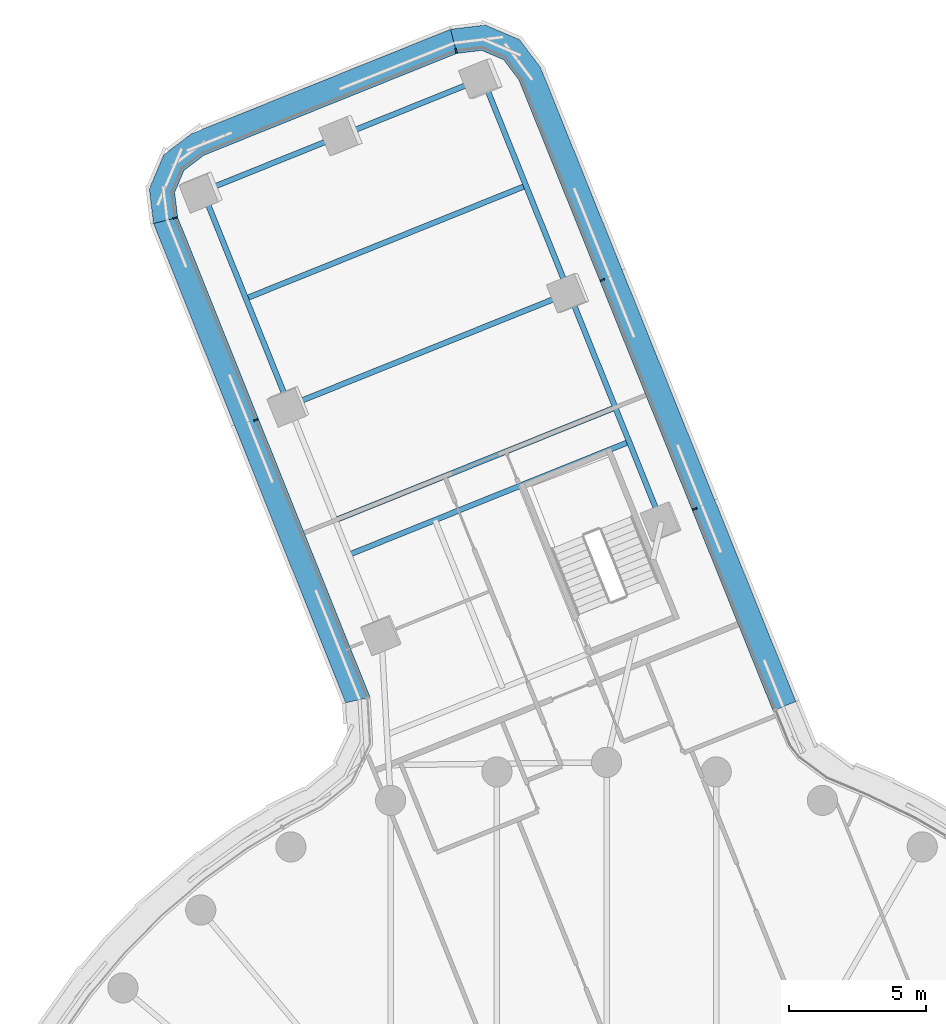
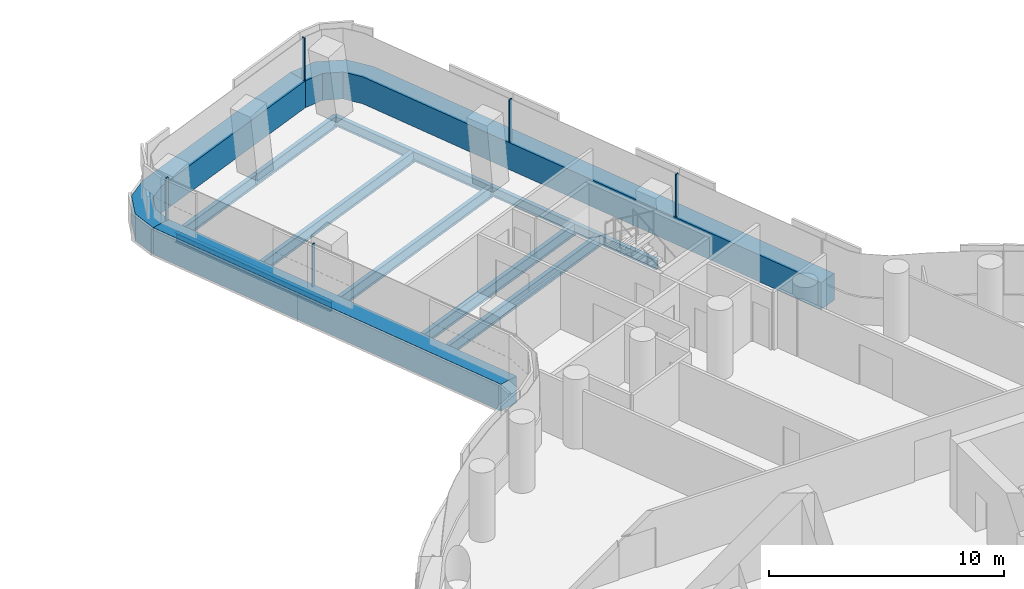
# One storey, part 15 of 32: 9 beams, 8 members, 3 elements without a shape of their own.
"""IFC4 building model written with IfcOpenShell, lengths in metres."""

import ifcopenshell
import ifcopenshell.guid

model = None  # the IFC model being written
_history = None  # IfcOwnerHistory: only IFC2X3 demands one
_inside = {}  # id of a spatial element -> (the spatial element, [elements in it])
_under = {}  # id of a project, library or spatial element -> (it, [spatial elements below it])
_declared = {}  # id of a project -> (the project, [libraries it declares])
_typed = {}  # id of a type object -> (the type object, [elements of that type])
_made_of = {}  # id of a material, layer set ... -> (it, [elements and type objects made of it])


def new_model(schema):
    """Start an empty IFC model of exactly this schema.

    Asked for "IFC4X3", IfcOpenShell would pick the latest addendum, in which some entities
    have other attributes; the version numbers below select the first issue.
    IFC2X3 requires an IfcOwnerHistory on every rooted entity: one is made here for all.
    """
    global model, _history
    if schema == "IFC4X3":
        model = ifcopenshell.file(schema_version=(4, 3, 0, 0))
    else:
        model = ifcopenshell.file(schema=schema)
    _inside.clear()
    _under.clear()
    _declared.clear()
    _typed.clear()
    _made_of.clear()
    _history = None
    if model.schema == "IFC2X3":
        org = make("IfcOrganization", Name="unknown")
        user = make(
            "IfcPersonAndOrganization",
            ThePerson=make("IfcPerson", FamilyName="unknown"),
            TheOrganization=org,
        )
        app = make(
            "IfcApplication",
            ApplicationDeveloper=org,
            Version="unknown",
            ApplicationFullName="unknown",
            ApplicationIdentifier="unknown",
        )
        _history = make(
            "IfcOwnerHistory",
            OwningUser=user,
            OwningApplication=app,
            ChangeAction="ADDED",
            CreationDate=0,
        )
    return model


def make(cls, **values):
    """One entity of the class cls with the attributes given. An attribute that is None is left unset."""
    return model.create_entity(
        cls, **{name: value for name, value in values.items() if value is not None}
    )


def rooted(cls, **values):
    """An entity with a GlobalId (a new one), such as an element, a storey or a relation."""
    return make(cls, GlobalId=ifcopenshell.guid.new(), OwnerHistory=_history, **values)


def si_unit(unit_type, name, prefix=None):
    """IfcSIUnit, for example si_unit("LENGTHUNIT", "METRE", prefix="MILLI")."""
    return make("IfcSIUnit", UnitType=unit_type, Prefix=prefix, Name=name)


def assignment(units):
    """IfcUnitAssignment: the units of a project."""
    return None if units is None else make("IfcUnitAssignment", Units=units)


def point(xyz):
    """IfcCartesianPoint."""
    return None if xyz is None else make("IfcCartesianPoint", Coordinates=xyz)


def direction(xyz):
    """IfcDirection."""
    return None if xyz is None else make("IfcDirection", DirectionRatios=xyz)


def frame(location, z_axis=None, x_axis=None):
    """IfcAxis2Placement3D, a coordinate frame: its origin and axes. An axis left out is left unset."""
    return make(
        "IfcAxis2Placement3D",
        Location=point(location),
        Axis=direction(z_axis),
        RefDirection=direction(x_axis),
    )


def frame_2d(location, x_axis=None):
    """IfcAxis2Placement2D, a coordinate frame in the plane: its origin and x axis."""
    return make(
        "IfcAxis2Placement2D", Location=point(location), RefDirection=direction(x_axis)
    )


def origin():
    """The frame at (0, 0, 0) with its axes left unset."""
    return frame((0.0, 0.0, 0.0))


def origin_2d():
    """The frame at (0, 0) in the plane with its x axis left unset."""
    return frame_2d((0.0, 0.0))


def place(relative_to, where):
    """IfcLocalPlacement: puts the frame where relative to a parent placement (None: the world)."""
    return make(
        "IfcLocalPlacement", PlacementRelTo=relative_to, RelativePlacement=where
    )


def context(
    kind, dimensions, precision=None, world=None, true_north=None, identifier=None
):
    """IfcGeometricRepresentationContext, for example the 3D "Model" context."""
    return make(
        "IfcGeometricRepresentationContext",
        ContextIdentifier=identifier,
        ContextType=kind,
        CoordinateSpaceDimension=dimensions,
        Precision=precision,
        WorldCoordinateSystem=world,
        TrueNorth=true_north,
    )


def subcontext(parent, identifier, kind, view, scale=None):
    """IfcGeometricRepresentationSubContext, for example "Body" below "Model"."""
    return make(
        "IfcGeometricRepresentationSubContext",
        ContextIdentifier=identifier,
        ContextType=kind,
        ParentContext=parent,
        TargetScale=scale,
        TargetView=view,
    )


def project(units=None, contexts=None):
    """IfcProject with its units and contexts."""
    return rooted(
        "IfcProject",
        Name="project",
        RepresentationContexts=contexts,
        UnitsInContext=assignment(units),
    )


def spatial(cls, under=None, at=None, **own):
    """A site, building, storey or space (cls), placed at a placement, below another one or the project."""
    s = rooted(cls, ObjectPlacement=at, **own)
    if under is not None:
        _under.setdefault(under.id(), (under, []))[1].append(s)
    return s


def polyline(points):
    """IfcPolyline through the points."""
    return make("IfcPolyline", Points=[point(p) for p in points])


def profile(cls, at=None, kind="AREA", **sizes):
    """A parametric profile (cls). Its sizes go by their IFC names, for example OverallWidth=200.0."""
    return make(cls, ProfileType=kind, Position=at, **sizes)


def rectangle(**sizes):
    """IfcRectangleProfileDef."""
    return profile("IfcRectangleProfileDef", **sizes)


def i_section(**sizes):
    """IfcIShapeProfileDef."""
    return profile("IfcIShapeProfileDef", **sizes)


def outline(outer, holes=None, kind="AREA"):
    """IfcArbitraryClosedProfileDef: a profile drawn as a closed curve; with holes, ...WithVoids."""
    if holes is None:
        return make("IfcArbitraryClosedProfileDef", ProfileType=kind, OuterCurve=outer)
    return make(
        "IfcArbitraryProfileDefWithVoids",
        ProfileType=kind,
        OuterCurve=outer,
        InnerCurves=holes,
    )


def extrude(swept, where, along, depth):
    """IfcExtrudedAreaSolid: the profile swept, set in the frame where, extruded along a direction by depth."""
    return make(
        "IfcExtrudedAreaSolid",
        SweptArea=swept,
        Position=where,
        ExtrudedDirection=direction(along),
        Depth=depth,
    )


def shape(context_of_items, identifier, shape_type, items):
    """IfcShapeRepresentation: the items that make up one representation, for example the "Body"."""
    return make(
        "IfcShapeRepresentation",
        ContextOfItems=context_of_items,
        RepresentationIdentifier=identifier,
        RepresentationType=shape_type,
        Items=items,
    )


def material(Name=None, Category=None):
    """IfcMaterial."""
    return make("IfcMaterial", Name=Name, Category=Category)


def layer(
    of_material, thickness, ventilated=None, Name=None, Category=None, Priority=None
):
    """IfcMaterialLayer: one layer of a wall or slab, of a material (None: an air gap)."""
    return make(
        "IfcMaterialLayer",
        Material=of_material,
        LayerThickness=thickness,
        IsVentilated=ventilated,
        Name=Name,
        Category=Category,
        Priority=Priority,
    )


def layer_set(layers, Name=None):
    """IfcMaterialLayerSet."""
    return make("IfcMaterialLayerSet", MaterialLayers=layers, LayerSetName=Name)


def material_profile(
    of_material, cross_section, Name=None, Category=None, Priority=None
):
    """IfcMaterialProfile: a cross section and its material."""
    return make(
        "IfcMaterialProfile",
        Name=Name,
        Material=of_material,
        Profile=cross_section,
        Priority=Priority,
        Category=Category,
    )


def profile_set(profiles, Name=None, composite=None):
    """IfcMaterialProfileSet."""
    return make(
        "IfcMaterialProfileSet",
        Name=Name,
        MaterialProfiles=profiles,
        CompositeProfile=composite,
    )


def made_of(thing, what):
    """Note that an element or type object is made of a material, layer set ...; save() writes the relation."""
    if what is not None:
        _made_of.setdefault(what.id(), (what, []))[1].append(thing)
    return thing


def type_object(cls, material=None, **own):
    """A type object (cls), such as IfcWallType, which elements share."""
    return made_of(rooted(cls, **own), material)


def element(
    cls,
    number,
    at=None,
    inside=None,
    cuts=None,
    type_object=None,
    material=None,
    context=None,
    identifier="Body",
    shape_type=None,
    held_by="IfcProductDefinitionShape",
    body=None,
    shapes=None,
    **own,
):
    """One element of the class cls, such as IfcWall. Its Tag is "e" and its number.

    at: its placement. inside: the storey or other place that contains it. cuts: it is an
    opening in that element (IfcRelVoidsElement). A single representation is given by context,
    identifier, shape_type and body (its items); several are given by shapes. held_by: the class
    of the entity that holds the representations. save() writes the other relations.
    """
    e = rooted(cls, Tag="e%d" % number, ObjectPlacement=at, **own)
    if body is not None:
        shapes = [shape(context, identifier, shape_type, body)]
    if shapes is not None:
        e.Representation = make(held_by, Representations=shapes)
    if inside is not None:
        _inside.setdefault(inside.id(), (inside, []))[1].append(e)
    if cuts is not None:
        rooted(
            "IfcRelVoidsElement", RelatingBuildingElement=cuts, RelatedOpeningElement=e
        )
    if type_object is not None:
        _typed.setdefault(type_object.id(), (type_object, []))[1].append(e)
    return made_of(e, material)


def aggregate(whole, parts):
    """IfcRelAggregates: a whole, such as a stair, and the parts it consists of."""
    return rooted("IfcRelAggregates", RelatingObject=whole, RelatedObjects=parts)


def save(model, path):
    """Write the relations noted so far, then the file.

    IfcRelAggregates (storeys below a building ...), IfcRelContainedInSpatialStructure (elements
    in a storey), IfcRelDefinesByType, IfcRelAssociatesMaterial and IfcRelDeclares: one each for
    every whole, place, type object, material and project.
    """
    for whole, parts in _under.values():
        aggregate(whole, parts)
    for where, things in _inside.values():
        rooted(
            "IfcRelContainedInSpatialStructure",
            RelatedElements=things,
            RelatingStructure=where,
        )
    for kind, things in _typed.values():
        rooted("IfcRelDefinesByType", RelatedObjects=things, RelatingType=kind)
    for what, things in _made_of.values():
        rooted("IfcRelAssociatesMaterial", RelatedObjects=things, RelatingMaterial=what)
    for by, libraries in _declared.values():
        rooted("IfcRelDeclares", RelatingContext=by, RelatedDefinitions=libraries)
    model.write(path)


model = new_model("IFC4")

# Units and contexts
model_context = context("Model", 3, precision=1e-05, world=origin(), true_north=direction((0.0, 1.0)))
body_context = subcontext(model_context, "Body", "Model", "MODEL_VIEW")
ifc_project = project(units=[si_unit("LENGTHUNIT", "METRE"), si_unit("AREAUNIT", "SQUARE_METRE"), si_unit("VOLUMEUNIT", "CUBIC_METRE"), si_unit("PLANEANGLEUNIT", "RADIAN"), si_unit("MASSUNIT", "GRAM", prefix="KILO")], contexts=[model_context])

# Site, building, storey
site_placement = place(None, origin())
site = spatial("IfcSite", under=ifc_project, at=site_placement, CompositionType="ELEMENT")
building_placement = place(site_placement, origin())
building = spatial("IfcBuilding", under=site, at=building_placement, Name="Tamarind Cross Interchange Tower", CompositionType="ELEMENT")
storey_placement = place(building_placement, frame((0.0, 0.0, 113.5)))
storey = spatial("IfcBuildingStorey", under=building, at=storey_placement, Name="L27", CompositionType="ELEMENT", Elevation=113.5)

# Beams
ifc_material_1 = material(Name="Steel Q355B", Category="steel")
ifc_material_profile_1 = material_profile(ifc_material_1, i_section(OverallWidth=0.198974609375, OverallDepth=0.49609375, WebThickness=0.009033203125, FlangeThickness=0.013916015625, FilletRadius=0.012939453125, at=origin_2d()), Name="HN 496x199x9x14")
ifc_profile_set_1 = profile_set([ifc_material_profile_1], Name="Steel Q355B")
beam_type_1 = type_object("IfcBeamType", Name="Composite beam HN 496x199x9x14 Q355B", PredefinedType="BEAM", material=ifc_profile_set_1)
beam_1_placement = place(storey_placement, frame((-4.5087890625, 47.91259765625, -0.387939453125), z_axis=(0.373644105427, -0.927572144084, 0.0), x_axis=(0.927572144084, 0.373644105427, 0.0)))
element("IfcBeam", 1, at=beam_1_placement, inside=storey, type_object=beam_type_1, Name="Beam N-edgeem5", PredefinedType="BEAM", context=body_context, shape_type="SweptSolid", body=[
    extrude(i_section(OverallWidth=0.198974609375, OverallDepth=0.49609375, WebThickness=0.009033203125, FlangeThickness=0.013916015625, FilletRadius=0.012939453125, at=origin_2d()), origin(), (0.0, 0.0, 1.0), 8.42041015625),
])
beam_2_placement = place(storey_placement, frame((-1.362548828125, 40.10205078125, -0.387939453125), z_axis=(0.37364390845, -0.92757222343, 0.0), x_axis=(0.92757222343, 0.37364390845, 0.0)))
element("IfcBeam", 2, at=beam_2_placement, inside=storey, type_object=beam_type_1, Name="Beam N-edgeem6", PredefinedType="BEAM", context=body_context, shape_type="SweptSolid", body=[
    extrude(i_section(OverallWidth=0.198974609375, OverallDepth=0.49609375, WebThickness=0.009033203125, FlangeThickness=0.013916015625, FilletRadius=0.012939453125, at=origin_2d()), origin(), (0.0, 0.0, 1.0), 9.0),
])
beam_3_placement = place(storey_placement, frame((-14.712158203125, 43.802490234375, -0.387939453125), z_axis=(0.373669051066, -0.927562095105, 0.0), x_axis=(0.927562095105, 0.373669051066, 0.0)))
element("IfcBeam", 3, at=beam_3_placement, inside=storey, type_object=beam_type_1, Name="Beam N-edgeep2", PredefinedType="BEAM", context=body_context, shape_type="SweptSolid", body=[
    extrude(i_section(OverallWidth=0.198974609375, OverallDepth=0.49609375, WebThickness=0.009033203125, FlangeThickness=0.013916015625, FilletRadius=0.012939453125, at=origin_2d()), origin(), (0.0, 0.0, 1.0), 8.42041015625),
])
ifc_material_profile_2 = material_profile(ifc_material_1, i_section(OverallWidth=0.199951171875, OverallDepth=0.60009765625, WebThickness=0.010986328125, FlangeThickness=0.01708984375, FilletRadius=0.012939453125, at=origin_2d()), Name="HN 600x200x11x17")
ifc_profile_set_2 = profile_set([ifc_material_profile_2], Name="Steel Q355B")
beam_type_2 = type_object("IfcBeamType", Name="Composite beam HN 600x200x11x17 Q355B", PredefinedType="BEAM", material=ifc_profile_set_2)
beam_4_placement = place(storey_placement, frame((-4.5087890625, 47.91259765625, -0.43994140625), z_axis=(-0.927576995285, -0.373632062084, 0.0), x_axis=(0.373632062084, -0.927576995285, 0.0)))
element("IfcBeam", 4, at=beam_4_placement, inside=storey, type_object=beam_type_2, Name="Beam N-tip0", PredefinedType="BEAM", context=body_context, shape_type="SweptSolid", body=[
    extrude(i_section(OverallWidth=0.199951171875, OverallDepth=0.60009765625, WebThickness=0.010986328125, FlangeThickness=0.01708984375, FilletRadius=0.012939453125, at=origin_2d()), origin(), (0.0, 0.0, 1.0), 5.5),
])
beam_5_placement = place(storey_placement, frame((-9.6103515625, 45.857666015625, -0.43994140625), z_axis=(-0.927567808032, -0.373654869503, 0.0), x_axis=(0.373654869503, -0.927567808032, 0.0)))
element("IfcBeam", 5, at=beam_5_placement, inside=storey, type_object=beam_type_2, Name="Beam N-tip1", PredefinedType="BEAM", context=body_context, shape_type="SweptSolid", body=[
    extrude(i_section(OverallWidth=0.199951171875, OverallDepth=0.60009765625, WebThickness=0.010986328125, FlangeThickness=0.01708984375, FilletRadius=0.012939453125, at=origin_2d()), origin(), (0.0, 0.0, 1.0), 5.500244140625),
])
for number, where, z_axis, x_axis, name in (
    (6, (0.8232421875, 34.67578125, -0.43994140625), (-0.927569302946, -0.373651158478, 0.0), (0.373651158478, -0.927569302946, 0.0), "Beam N-x334"),
    (7, (-1.362548828125, 40.10205078125, -0.43994140625), (-0.927569302946, -0.373651158478, 0.0), (0.373651158478, -0.927569302946, 0.0), "Beam N-x393"),
    (8, (0.31884765625, 35.927978515625, -0.43994140625), (-0.927569302946, -0.373651158478, 0.0), (0.373651158478, -0.927569302946, 0.0), "Beam N-x348"),
):
    element("IfcBeam", number, at=place(storey_placement, frame(where, z_axis=z_axis, x_axis=x_axis)), inside=storey, type_object=beam_type_2, Name=name, PredefinedType="BEAM", context=body_context, shape_type="SweptSolid", body=[
        extrude(i_section(OverallWidth=0.199951171875, OverallDepth=0.60009765625, WebThickness=0.010986328125, FlangeThickness=0.01708984375, FilletRadius=0.012939453125, at=origin_2d()), origin(), (0.0, 0.0, 1.0), 10.999755859375),
    ])
beam_6_placement = place(storey_placement, frame((-2.935546875, 44.00732421875, -0.43994140625), z_axis=(-0.927572401596, -0.373643466151, 0.0), x_axis=(0.373643466151, -0.927572401596, 0.0)))
element("IfcBeam", 9, at=beam_6_placement, inside=storey, type_object=beam_type_2, Name="Beam N-x435", PredefinedType="BEAM", context=body_context, shape_type="SweptSolid", body=[
    extrude(i_section(OverallWidth=0.199951171875, OverallDepth=0.60009765625, WebThickness=0.010986328125, FlangeThickness=0.01708984375, FilletRadius=0.012939453125, at=origin_2d()), origin(), (0.0, 0.0, 1.0), 11.0),
])

# Curtain wall, member
ifc_material_2 = material(Name="Aluminium 6063-T6", Category="aluminium")
ifc_layer = layer(ifc_material_2, 0.159912109375)
ifc_layer_set = layer_set([ifc_layer], Name="Aluminium 6063-T6")
curtain_wall_type = type_object("IfcCurtainWallType", Name="Office curtain wall, 9.0 m bays", PredefinedType="NOTDEFINED", material=ifc_layer_set)
curtain_wall_1_placement = place(storey_placement, origin())
curtain_wall_1 = element("IfcCurtainWall", 10, at=curtain_wall_1_placement, inside=storey, type_object=curtain_wall_type, Name="CWS-L27-11", PredefinedType="NOTDEFINED")
ifc_material_3 = material(Name="Aluminium and insulated spandrel panel", Category="aluminium")
member_type_1 = type_object("IfcMemberType", Name="Floor-edge blade transom", PredefinedType="USERDEFINED", material=ifc_material_3)
member_1_placement = place(storey_placement, origin())
member_1 = element("IfcMember", 11, at=member_1_placement, type_object=member_type_1, Name="CWT-L27-11", ObjectType="TRANSOM", PredefinedType="USERDEFINED", context=body_context, shape_type="SweptSolid", body=[
    extrude(outline(polyline([(6.06396484375, 24.87744140625), (-3.194091796875, 47.860595703125), (-3.744384765625, 48.59228515625), (-4.548828125, 48.934814453125), (-5.45751953125, 48.82421875), (-5.68408203125, 49.703369140625), (-4.418212890625, 49.857421875), (-3.169921875, 49.325927734375), (-2.403564453125, 48.306884765625), (6.8984375, 25.215087890625), (6.06396484375, 24.87744140625)])), origin(), (0.0, 0.0, 1.0), 1.39990234375),
])

curtain_wall_2_placement = place(storey_placement, origin())
curtain_wall_2 = element("IfcCurtainWall", 12, at=curtain_wall_2_placement, inside=storey, type_object=curtain_wall_type, Name="CWS-L27-12", PredefinedType="NOTDEFINED")
member_2_placement = place(storey_placement, origin())
member_2 = element("IfcMember", 13, at=member_2_placement, type_object=member_type_1, Name="CWT-L27-12", ObjectType="TRANSOM", PredefinedType="USERDEFINED", context=body_context, shape_type="SweptSolid", body=[
    extrude(outline(polyline([(-5.45751953125, 48.82421875), (-14.66015625, 45.1171875), (-15.3916015625, 44.567138671875), (-15.734130859375, 43.762451171875), (-15.62353515625, 42.853515625), (-16.502685546875, 42.6279296875), (-16.65673828125, 43.89306640625), (-16.125244140625, 45.1416015625), (-15.106201171875, 45.90771484375), (-5.68408203125, 49.703369140625), (-5.45751953125, 48.82421875)])), origin(), (0.0, 0.0, 1.0), 1.39990234375),
])

curtain_wall_3_placement = place(storey_placement, origin())
curtain_wall_3 = element("IfcCurtainWall", 14, at=curtain_wall_3_placement, inside=storey, type_object=curtain_wall_type, Name="CWS-L27-13", PredefinedType="NOTDEFINED")
member_3_placement = place(storey_placement, origin())
member_3 = element("IfcMember", 15, at=member_3_placement, type_object=member_type_1, Name="CWT-L27-13", ObjectType="TRANSOM", PredefinedType="USERDEFINED", context=body_context, shape_type="SweptSolid", body=[
    extrude(outline(polyline([(-15.62353515625, 42.853515625), (-8.61376953125, 25.369384765625), (-9.50390625, 25.171142578125), (-16.502685546875, 42.6279296875), (-15.62353515625, 42.853515625)])), origin(), (0.0, 0.0, 1.0), 1.39990234375),
])

# Member
ifc_material_profile_3 = material_profile(ifc_material_2, rectangle(XDim=0.06005859375, YDim=0.159912109375, at=origin_2d()), Name="Mullion CW1")
ifc_profile_set_3 = profile_set([ifc_material_profile_3], Name="Aluminium 6063-T6")
member_type_2 = type_object("IfcMemberType", Name="Mullion CW1", PredefinedType="MULLION", material=ifc_profile_set_3)
member_4_placement = place(storey_placement, frame((3.20947265625, 32.231689453125, 1.39990234375), z_axis=(0.0, 0.0, 1.0), x_axis=(-0.373648394893, 0.927570416192, 0.0)))
member_4 = element("IfcMember", 16, at=member_4_placement, type_object=member_type_2, Name="CWM-L27-11-01", PredefinedType="MULLION", context=body_context, shape_type="SweptSolid", body=[
    extrude(rectangle(XDim=0.06005859375, YDim=0.159912109375, at=origin_2d()), origin(), (0.0, 0.0, 1.0), 2.210205078125),
])

member_5_placement = place(storey_placement, frame((-0.14990234375, 40.571044921875, 1.39990234375), z_axis=(0.0, 0.0, 1.0), x_axis=(-0.373648394893, 0.927570416192, 0.0)))
member_5 = element("IfcMember", 17, at=member_5_placement, type_object=member_type_2, Name="CWM-L27-11-02", PredefinedType="MULLION", context=body_context, shape_type="SweptSolid", body=[
    extrude(rectangle(XDim=0.06005859375, YDim=0.159912109375, at=origin_2d()), origin(), (0.0, 0.0, 1.0), 2.210205078125),
])

aggregate(curtain_wall_1, [member_4, member_5, member_1])

member_6_placement = place(storey_placement, frame((-5.482666015625, 48.921875, 1.39990234375), z_axis=(0.0, 0.0, 1.0), x_axis=(-0.96840582491, -0.249379546636, 0.0)))
member_6 = element("IfcMember", 18, at=member_6_placement, type_object=member_type_2, Name="CWM-L27-12-00", PredefinedType="MULLION", context=body_context, shape_type="SweptSolid", body=[
    extrude(rectangle(XDim=0.06005859375, YDim=0.159912109375, at=origin_2d()), origin(), (0.0, 0.0, 1.0), 2.210205078125),
])

aggregate(curtain_wall_2, [member_6, member_2])

member_7_placement = place(storey_placement, frame((-15.72119140625, 42.828369140625, 1.39990234375), z_axis=(0.0, 0.0, 1.0), x_axis=(0.248584092702, -0.968610318371, 0.0)))
member_7 = element("IfcMember", 19, at=member_7_placement, type_object=member_type_2, Name="CWM-L27-13-00", PredefinedType="MULLION", context=body_context, shape_type="SweptSolid", body=[
    extrude(rectangle(XDim=0.06005859375, YDim=0.159912109375, at=origin_2d()), origin(), (0.0, 0.0, 1.0), 2.210205078125),
])

member_8_placement = place(storey_placement, frame((-12.772705078125, 35.47412109375, 1.39990234375), z_axis=(0.0, 0.0, 1.0), x_axis=(0.372124229448, -0.928182933401, 0.0)))
member_8 = element("IfcMember", 20, at=member_8_placement, type_object=member_type_2, Name="CWM-L27-13-01", PredefinedType="MULLION", context=body_context, shape_type="SweptSolid", body=[
    extrude(rectangle(XDim=0.06005859375, YDim=0.159912109375, at=origin_2d()), origin(), (0.0, 0.0, 1.0), 2.210205078125),
])

aggregate(curtain_wall_3, [member_7, member_8, member_3])

save(model, "model.ifc")
